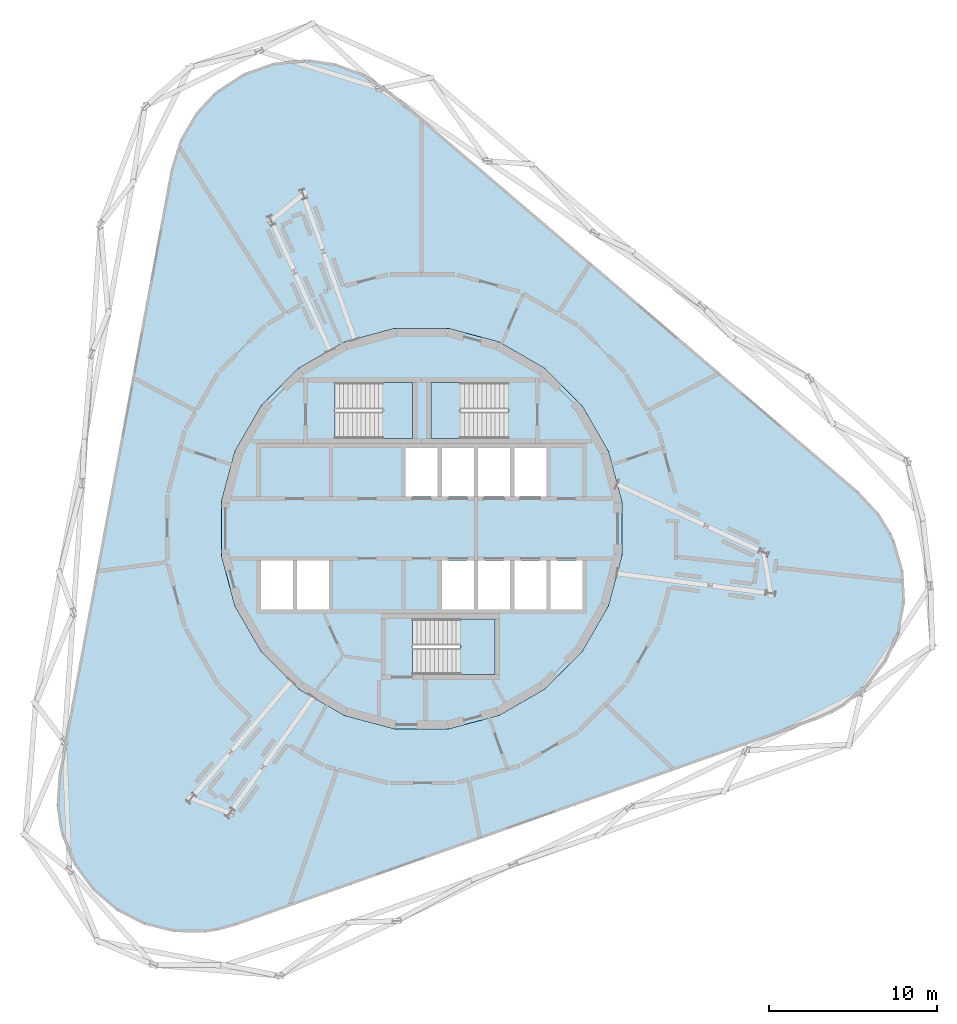
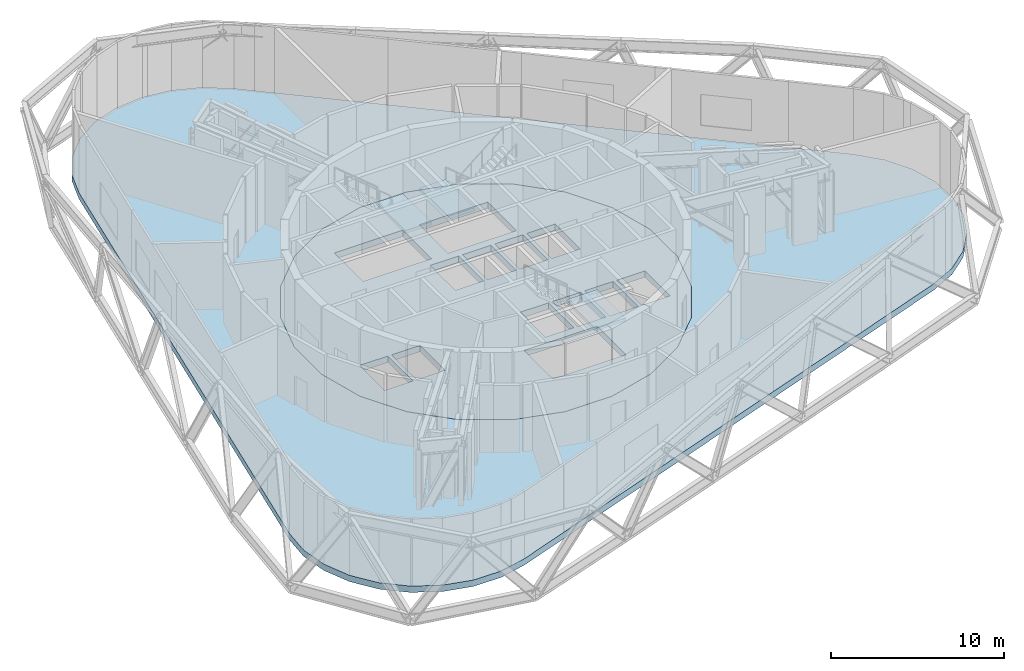
# One storey, part 4 of 12: 5 slabs, 3 elements without a shape of their own.
"""IFC4 building model written with IfcOpenShell, lengths in metres."""

from ifc_helpers import new_model, si_unit, direction, frame, origin, place, context, subcontext, project, spatial, polyline, outline, extrude, material, layer, layer_set, type_object, element, aggregate, save


model = new_model("IFC4")

# Units and contexts
model_context = context("Model", 3, precision=1e-05, world=origin(), true_north=direction((0.0, 1.0)))
body_context = subcontext(model_context, "Body", "Model", "MODEL_VIEW")
ifc_project = project(units=[si_unit("LENGTHUNIT", "METRE"), si_unit("AREAUNIT", "SQUARE_METRE"), si_unit("VOLUMEUNIT", "CUBIC_METRE"), si_unit("PLANEANGLEUNIT", "RADIAN"), si_unit("MASSUNIT", "GRAM", prefix="KILO")], contexts=[model_context])

# Site, building, storey
site_placement = place(None, origin())
site = spatial("IfcSite", under=ifc_project, at=site_placement, CompositionType="ELEMENT")
building_placement = place(site_placement, origin())
building = spatial("IfcBuilding", under=site, at=building_placement, Name="Spindle Arch Residences", CompositionType="ELEMENT")
storey_placement = place(building_placement, frame((0.0, 0.0, 183.199951171875)))
storey = spatial("IfcBuildingStorey", under=building, at=storey_placement, Name="L46", CompositionType="ELEMENT", Elevation=183.199951171875)

# Slabs
ifc_material_1 = material(Name="Concrete C40/50", Category="concrete")
ifc_layer_1 = layer(ifc_material_1, 0.449951171875)
ifc_layer_set_1 = layer_set([ifc_layer_1], Name="Compartment floor slab 450")
slab_type_1 = type_object("IfcSlabType", Name="Compartment floor slab 450", PredefinedType="FLOOR", material=ifc_layer_set_1)
slab_1_placement = place(storey_placement, frame((0.0, 0.0, -0.449951171875)))
element("IfcSlab", 1, at=slab_1_placement, inside=storey, type_object=slab_type_1, Name="Floor slab L46", PredefinedType="FLOOR", context=body_context, shape_type="SweptSolid", body=[
    extrude(outline(polyline([(-11.0107421875, -23.559814453125), (-12.82177734375, -23.972412109375), (-14.67919921875, -23.9560546875), (-16.48291015625, -23.511962890625), (-18.135498046875, -22.663818359375), (-19.5478515625, -21.45751953125), (-20.64404296875, -19.9580078125), (-21.36474609375, -18.24609375), (-21.67138671875, -16.4140625), (-21.547119140625, -14.560791015625), (-14.89794921875, 21.3154296875), (-14.349609375, 23.090087890625), (-13.406982421875, 24.690673828125), (-12.12060546875, 26.030517578125), (-10.559814453125, 27.03759765625), (-8.808837890625, 27.65771484375), (-6.962158203125, 27.857421875), (-5.119140625, 27.62548828125), (-3.37939453125, 26.97509765625), (-1.83642578125, 25.94091796875), (25.90869140625, 2.244384765625), (27.171630859375, 0.882080078125), (28.086181640625, -0.734619140625), (28.603515625, -2.5185546875), (28.6953125, -4.373779296875), (28.356689453125, -6.2001953125), (27.606201171875, -7.8994140625), (26.48388671875, -9.37939453125), (25.05078125, -10.56103515625), (23.383544921875, -11.380126953125), (6.186279296875, -17.469970703125), (-11.0107421875, -23.559814453125)]), holes=[polyline([(4.59228515625, -11.086669921875), (7.30517578125, -9.520263671875), (9.520263671875, -7.30517578125), (11.086669921875, -4.59228515625), (11.897216796875, -1.56640625), (11.897216796875, 1.56640625), (11.086669921875, 4.59228515625), (9.520263671875, 7.30517578125), (7.30517578125, 9.520263671875), (4.59228515625, 11.086669921875), (1.56640625, 11.897216796875), (-1.56640625, 11.897216796875), (-4.59228515625, 11.086669921875), (-7.30517578125, 9.520263671875), (-9.520263671875, 7.30517578125), (-11.086669921875, 4.59228515625), (-11.897216796875, 1.56640625), (-11.897216796875, -1.56640625), (-11.086669921875, -4.59228515625), (-9.520263671875, -7.30517578125), (-7.30517578125, -9.520263671875), (-4.59228515625, -11.086669921875), (-1.56640625, -11.897216796875), (1.56640625, -11.897216796875), (4.59228515625, -11.086669921875)])]), origin(), (0.0, 0.0, 1.0), 0.449951171875),
])
ifc_material_2 = material(Name="Concrete C50/60", Category="concrete")
ifc_layer_2 = layer(ifc_material_2, 0.449951171875)
ifc_layer_set_2 = layer_set([ifc_layer_2], Name="Core floor slab 450")
slab_type_2 = type_object("IfcSlabType", Name="Core floor slab 450", PredefinedType="FLOOR", material=ifc_layer_set_2)
slab_2_placement = place(storey_placement, frame((0.0, 0.0, -0.449951171875)))
element("IfcSlab", 2, at=slab_2_placement, inside=storey, type_object=slab_type_2, Name="Core floor L46", PredefinedType="FLOOR", context=body_context, shape_type="SweptSolid", body=[
    extrude(outline(polyline([(1.56640625, -11.897216796875), (4.59228515625, -11.086669921875), (7.30517578125, -9.520263671875), (9.520263671875, -7.30517578125), (11.086669921875, -4.59228515625), (11.897216796875, -1.56640625), (11.897216796875, 1.56640625), (11.086669921875, 4.59228515625), (9.520263671875, 7.30517578125), (7.30517578125, 9.520263671875), (4.59228515625, 11.086669921875), (1.56640625, 11.897216796875), (-1.56640625, 11.897216796875), (-4.59228515625, 11.086669921875), (-7.30517578125, 9.520263671875), (-9.520263671875, 7.30517578125), (-11.086669921875, 4.59228515625), (-11.897216796875, 1.56640625), (-11.897216796875, -1.56640625), (-11.086669921875, -4.59228515625), (-9.520263671875, -7.30517578125), (-7.30517578125, -9.520263671875), (-4.59228515625, -11.086669921875), (-1.56640625, -11.897216796875), (1.56640625, -11.897216796875)]), holes=[polyline([(-0.949951171875, 1.89990234375), (0.949951171875, 1.89990234375), (0.949951171875, 4.800048828125), (-0.949951171875, 4.800048828125), (-0.949951171875, 1.89990234375)]), polyline([(1.199951171875, 1.89990234375), (3.10009765625, 1.89990234375), (3.10009765625, 4.800048828125), (1.199951171875, 4.800048828125), (1.199951171875, 1.89990234375)]), polyline([(3.35009765625, 1.89990234375), (5.25, 1.89990234375), (5.25, 4.800048828125), (3.35009765625, 4.800048828125), (3.35009765625, 1.89990234375)]), polyline([(5.5, 1.89990234375), (7.39990234375, 1.89990234375), (7.39990234375, 4.800048828125), (5.5, 4.800048828125), (5.5, 1.89990234375)]), polyline([(-9.550048828125, -4.800048828125), (-7.64990234375, -4.800048828125), (-7.64990234375, -1.89990234375), (-9.550048828125, -1.89990234375), (-9.550048828125, -4.800048828125)]), polyline([(-7.39990234375, -4.800048828125), (-5.5, -4.800048828125), (-5.5, -1.89990234375), (-7.39990234375, -1.89990234375), (-7.39990234375, -4.800048828125)]), polyline([(1.199951171875, -4.800048828125), (3.10009765625, -4.800048828125), (3.10009765625, -1.89990234375), (1.199951171875, -1.89990234375), (1.199951171875, -4.800048828125)]), polyline([(3.35009765625, -4.800048828125), (5.25, -4.800048828125), (5.25, -1.89990234375), (3.35009765625, -1.89990234375), (3.35009765625, -4.800048828125)]), polyline([(5.5, -4.800048828125), (7.39990234375, -4.800048828125), (7.39990234375, -1.89990234375), (5.5, -1.89990234375), (5.5, -4.800048828125)]), polyline([(7.64990234375, -4.800048828125), (9.550048828125, -4.800048828125), (9.550048828125, -1.89990234375), (7.64990234375, -1.89990234375), (7.64990234375, -4.800048828125)]), polyline([(5.1298828125, 8.669921875), (0.550048828125, 8.669921875), (0.550048828125, 5.35009765625), (5.1298828125, 5.35009765625), (5.1298828125, 8.669921875)]), polyline([(-5.1298828125, 5.35009765625), (-0.550048828125, 5.35009765625), (-0.550048828125, 8.669921875), (-5.1298828125, 8.669921875), (-5.1298828125, 5.35009765625)]), polyline([(-0.530029296875, -8.669921875), (4.35009765625, -8.669921875), (4.35009765625, -5.35009765625), (-0.530029296875, -5.35009765625), (-0.530029296875, -8.669921875)])]), origin(), (0.0, 0.0, 1.0), 0.449951171875),
])

# Stair, slab
ifc_material_3 = material(Name="Concrete C50/60", Category="concrete")
stair_type = type_object("IfcStairType", Name="Exit stair 24 risers", PredefinedType="HALF_TURN_STAIR", material=ifc_material_3)
stair_1_placement = place(storey_placement, origin())
stair_1 = element("IfcStair", 3, at=stair_1_placement, inside=storey, type_object=stair_type, Name="L46 Exit stair ST1", PredefinedType="HALF_TURN_STAIR")
ifc_material_4 = material(Name="Concrete C50/60", Category="concrete")
ifc_layer_3 = layer(ifc_material_4, 0.219970703125)
ifc_layer_set_3 = layer_set([ifc_layer_3], Name="Exit stair landing 220")
slab_type_3 = type_object("IfcSlabType", Name="Exit stair landing 220", PredefinedType="LANDING", material=ifc_layer_set_3)
slab_3_placement = place(storey_placement, frame((0.0, 0.0, 2.380126953125)))
slab_3 = element("IfcSlab", 4, at=slab_3_placement, type_object=slab_type_3, Name="ST1 landing 1", PredefinedType="LANDING", context=body_context, shape_type="SweptSolid", body=[
    extrude(outline(polyline([(2.31005859375, 8.669921875), (0.550048828125, 8.669921875), (0.550048828125, 5.35009765625), (2.31005859375, 5.35009765625), (2.31005859375, 8.669921875)])), origin(), (0.0, 0.0, 1.0), 0.219970703125),
])
aggregate(stair_1, [slab_3])

stair_2_placement = place(storey_placement, origin())
stair_2 = element("IfcStair", 5, at=stair_2_placement, inside=storey, type_object=stair_type, Name="L46 Exit stair ST2", PredefinedType="HALF_TURN_STAIR")
slab_4_placement = place(storey_placement, frame((0.0, 0.0, 2.380126953125)))
slab_4 = element("IfcSlab", 6, at=slab_4_placement, type_object=slab_type_3, Name="ST2 landing 1", PredefinedType="LANDING", context=body_context, shape_type="SweptSolid", body=[
    extrude(outline(polyline([(-2.31005859375, 5.35009765625), (-0.550048828125, 5.35009765625), (-0.550048828125, 8.669921875), (-2.31005859375, 8.669921875), (-2.31005859375, 5.35009765625)])), origin(), (0.0, 0.0, 1.0), 0.219970703125),
])
aggregate(stair_2, [slab_4])

stair_3_placement = place(storey_placement, origin())
stair_3 = element("IfcStair", 7, at=stair_3_placement, inside=storey, type_object=stair_type, Name="L46 Exit stair ST3", PredefinedType="HALF_TURN_STAIR")
slab_5_placement = place(storey_placement, frame((0.0, 0.0, 2.380126953125)))
slab_5 = element("IfcSlab", 8, at=slab_5_placement, type_object=slab_type_3, Name="ST3 landing 1", PredefinedType="LANDING", context=body_context, shape_type="SweptSolid", body=[
    extrude(outline(polyline([(2.2900390625, -8.669921875), (4.35009765625, -8.669921875), (4.35009765625, -5.35009765625), (2.2900390625, -5.35009765625), (2.2900390625, -8.669921875)])), origin(), (0.0, 0.0, 1.0), 0.219970703125),
])
aggregate(stair_3, [slab_5])

save(model, "model.ifc")
